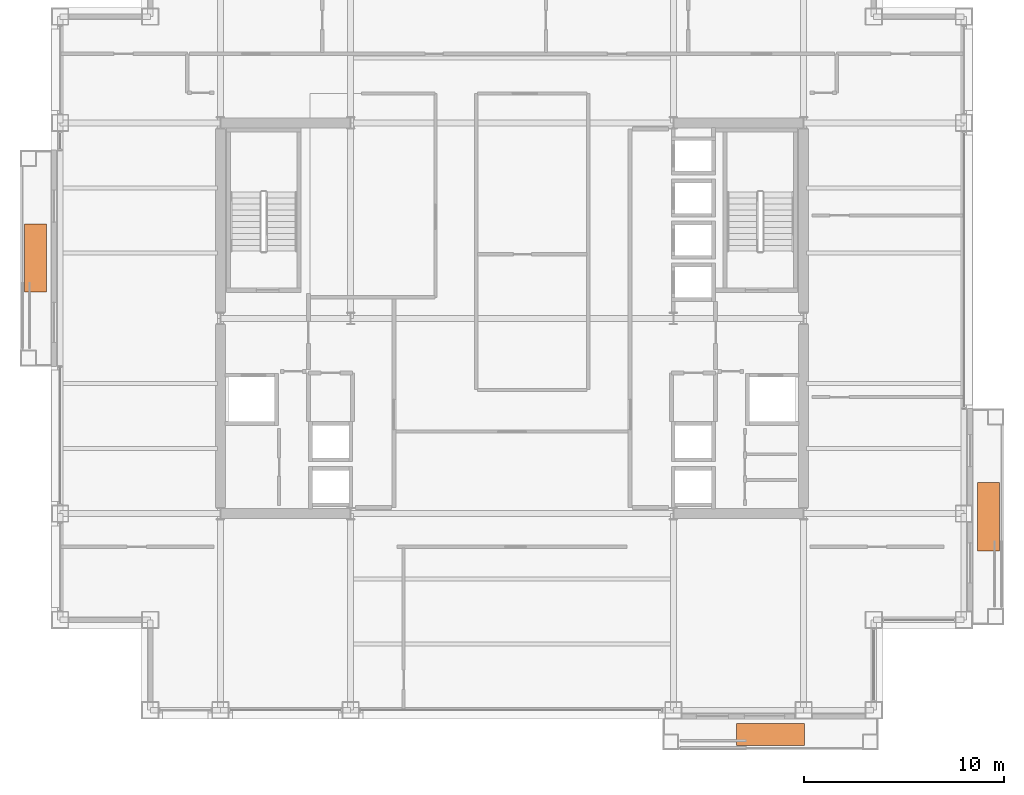
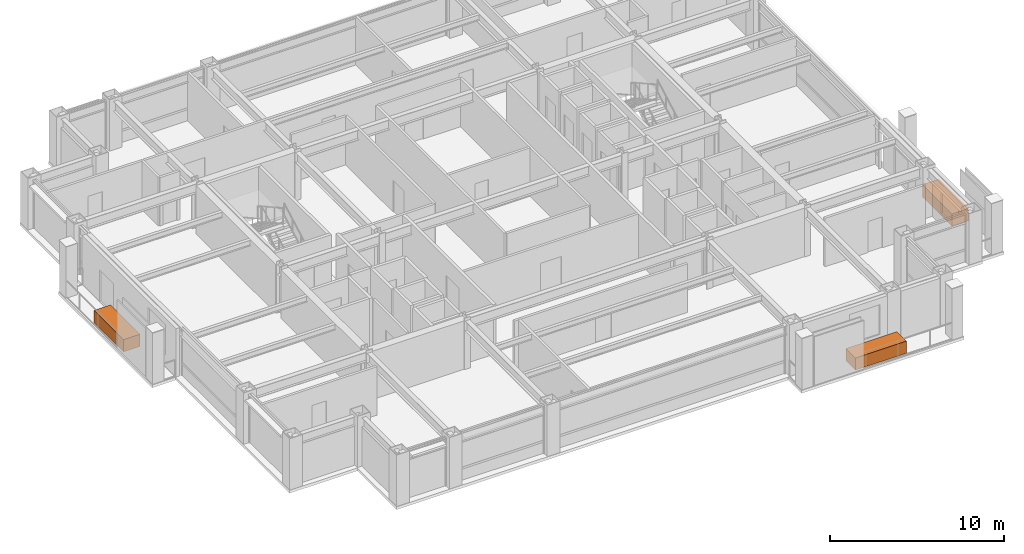
# One storey, part 31 of 31: 3 proxies.
"""IFC4 building model written with IfcOpenShell, lengths in metres."""

from ifc_helpers import new_model, si_unit, direction, frame, origin, origin_2d, place, context, subcontext, project, spatial, rectangle, extrude, material, type_object, element, save


model = new_model("IFC4")

# Units and contexts
model_context = context("Model", 3, precision=1e-05, world=origin(), true_north=direction((0.0, 1.0)))
body_context = subcontext(model_context, "Body", "Model", "MODEL_VIEW")
ifc_project = project(units=[si_unit("LENGTHUNIT", "METRE"), si_unit("AREAUNIT", "SQUARE_METRE"), si_unit("VOLUMEUNIT", "CUBIC_METRE"), si_unit("PLANEANGLEUNIT", "RADIAN"), si_unit("MASSUNIT", "GRAM", prefix="KILO")], contexts=[model_context])

# Site, building, storey
site_placement = place(None, origin())
site = spatial("IfcSite", under=ifc_project, at=site_placement, CompositionType="ELEMENT")
building_placement = place(site_placement, origin())
building = spatial("IfcBuilding", under=site, at=building_placement, Name="Brelmoor Portico Tower", CompositionType="ELEMENT")
storey_placement = place(building_placement, frame((0.0, 0.0, 106.199951171875)))
storey = spatial("IfcBuildingStorey", under=building, at=storey_placement, Name="L27", CompositionType="ELEMENT", Elevation=106.199951171875)

# Proxies
ifc_material = material(Name="Architectural Precast Concrete C40", Category="concrete")
building_element_proxy_type = type_object("IfcBuildingElementProxyType", Name="TREE PLANTER", PredefinedType="USERDEFINED", material=ifc_material)
for number, where, z_axis, x_axis, name in (
    (1, (12.89990234375, -20.77490234375, 0.0), (0.0, 0.0, 1.0), (1.0, 0.0, 0.0), "L27 Planted Tree Planter S"),
    (2, (23.77490234375, -9.89990234375, 0.0), (0.0, 0.0, 1.0), (0.0, 1.0, 0.0), "L27 Planted Tree Planter E"),
    (3, (-23.77490234375, 3.0, 0.0), (0.0, 0.0, 1.0), (0.0, 1.0, 0.0), "L27 Planted Tree Planter W"),
):
    element("IfcBuildingElementProxy", number, at=place(storey_placement, frame(where, z_axis=z_axis, x_axis=x_axis)), inside=storey, type_object=building_element_proxy_type, Name=name, ObjectType="PLANTER", PredefinedType="USERDEFINED", context=body_context, shape_type="SweptSolid", body=[
        extrude(rectangle(XDim=3.39990234375, YDim=1.10009765625, at=origin_2d()), origin(), (0.0, 0.0, 1.0), 0.85009765625),
    ])

save(model, "model.ifc")
